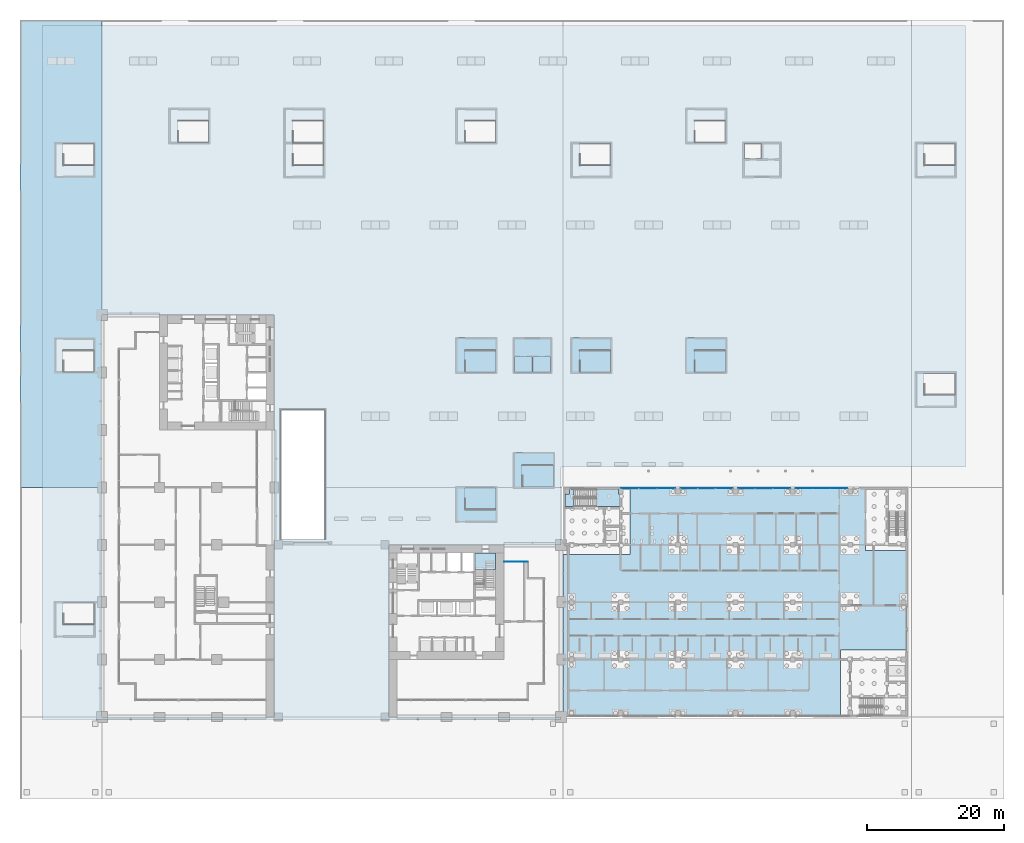
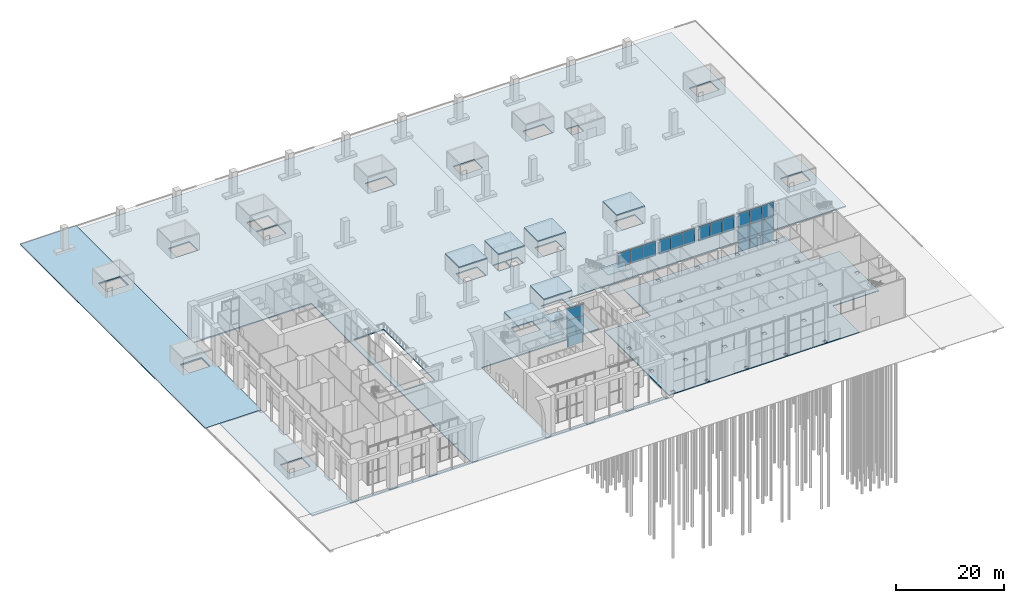
# One storey, part 16 of 46: 21 plates, 14 slabs, 8 elements without a shape of their own.
"""IFC4 building model written with IfcOpenShell, lengths in metres."""

import ifcopenshell
import ifcopenshell.guid

model = None  # the IFC model being written
_history = None  # IfcOwnerHistory: only IFC2X3 demands one
_inside = {}  # id of a spatial element -> (the spatial element, [elements in it])
_under = {}  # id of a project, library or spatial element -> (it, [spatial elements below it])
_declared = {}  # id of a project -> (the project, [libraries it declares])
_typed = {}  # id of a type object -> (the type object, [elements of that type])
_made_of = {}  # id of a material, layer set ... -> (it, [elements and type objects made of it])


def new_model(schema):
    """Start an empty IFC model of exactly this schema.

    Asked for "IFC4X3", IfcOpenShell would pick the latest addendum, in which some entities
    have other attributes; the version numbers below select the first issue.
    IFC2X3 requires an IfcOwnerHistory on every rooted entity: one is made here for all.
    """
    global model, _history
    if schema == "IFC4X3":
        model = ifcopenshell.file(schema_version=(4, 3, 0, 0))
    else:
        model = ifcopenshell.file(schema=schema)
    _inside.clear()
    _under.clear()
    _declared.clear()
    _typed.clear()
    _made_of.clear()
    _history = None
    if model.schema == "IFC2X3":
        org = make("IfcOrganization", Name="unknown")
        user = make(
            "IfcPersonAndOrganization",
            ThePerson=make("IfcPerson", FamilyName="unknown"),
            TheOrganization=org,
        )
        app = make(
            "IfcApplication",
            ApplicationDeveloper=org,
            Version="unknown",
            ApplicationFullName="unknown",
            ApplicationIdentifier="unknown",
        )
        _history = make(
            "IfcOwnerHistory",
            OwningUser=user,
            OwningApplication=app,
            ChangeAction="ADDED",
            CreationDate=0,
        )
    return model


def make(cls, **values):
    """One entity of the class cls with the attributes given. An attribute that is None is left unset."""
    return model.create_entity(
        cls, **{name: value for name, value in values.items() if value is not None}
    )


def rooted(cls, **values):
    """An entity with a GlobalId (a new one), such as an element, a storey or a relation."""
    return make(cls, GlobalId=ifcopenshell.guid.new(), OwnerHistory=_history, **values)


def si_unit(unit_type, name, prefix=None):
    """IfcSIUnit, for example si_unit("LENGTHUNIT", "METRE", prefix="MILLI")."""
    return make("IfcSIUnit", UnitType=unit_type, Prefix=prefix, Name=name)


def assignment(units):
    """IfcUnitAssignment: the units of a project."""
    return None if units is None else make("IfcUnitAssignment", Units=units)


def point(xyz):
    """IfcCartesianPoint."""
    return None if xyz is None else make("IfcCartesianPoint", Coordinates=xyz)


def direction(xyz):
    """IfcDirection."""
    return None if xyz is None else make("IfcDirection", DirectionRatios=xyz)


def frame(location, z_axis=None, x_axis=None):
    """IfcAxis2Placement3D, a coordinate frame: its origin and axes. An axis left out is left unset."""
    return make(
        "IfcAxis2Placement3D",
        Location=point(location),
        Axis=direction(z_axis),
        RefDirection=direction(x_axis),
    )


def frame_2d(location, x_axis=None):
    """IfcAxis2Placement2D, a coordinate frame in the plane: its origin and x axis."""
    return make(
        "IfcAxis2Placement2D", Location=point(location), RefDirection=direction(x_axis)
    )


def origin():
    """The frame at (0, 0, 0) with its axes left unset."""
    return frame((0.0, 0.0, 0.0))


def origin_2d():
    """The frame at (0, 0) in the plane with its x axis left unset."""
    return frame_2d((0.0, 0.0))


def place(relative_to, where):
    """IfcLocalPlacement: puts the frame where relative to a parent placement (None: the world)."""
    return make(
        "IfcLocalPlacement", PlacementRelTo=relative_to, RelativePlacement=where
    )


def context(
    kind, dimensions, precision=None, world=None, true_north=None, identifier=None
):
    """IfcGeometricRepresentationContext, for example the 3D "Model" context."""
    return make(
        "IfcGeometricRepresentationContext",
        ContextIdentifier=identifier,
        ContextType=kind,
        CoordinateSpaceDimension=dimensions,
        Precision=precision,
        WorldCoordinateSystem=world,
        TrueNorth=true_north,
    )


def subcontext(parent, identifier, kind, view, scale=None):
    """IfcGeometricRepresentationSubContext, for example "Body" below "Model"."""
    return make(
        "IfcGeometricRepresentationSubContext",
        ContextIdentifier=identifier,
        ContextType=kind,
        ParentContext=parent,
        TargetScale=scale,
        TargetView=view,
    )


def project(units=None, contexts=None):
    """IfcProject with its units and contexts."""
    return rooted(
        "IfcProject",
        Name="project",
        RepresentationContexts=contexts,
        UnitsInContext=assignment(units),
    )


def spatial(cls, under=None, at=None, **own):
    """A site, building, storey or space (cls), placed at a placement, below another one or the project."""
    s = rooted(cls, ObjectPlacement=at, **own)
    if under is not None:
        _under.setdefault(under.id(), (under, []))[1].append(s)
    return s


def polyline(points):
    """IfcPolyline through the points."""
    return make("IfcPolyline", Points=[point(p) for p in points])


def profile(cls, at=None, kind="AREA", **sizes):
    """A parametric profile (cls). Its sizes go by their IFC names, for example OverallWidth=200.0."""
    return make(cls, ProfileType=kind, Position=at, **sizes)


def rectangle(**sizes):
    """IfcRectangleProfileDef."""
    return profile("IfcRectangleProfileDef", **sizes)


def outline(outer, holes=None, kind="AREA"):
    """IfcArbitraryClosedProfileDef: a profile drawn as a closed curve; with holes, ...WithVoids."""
    if holes is None:
        return make("IfcArbitraryClosedProfileDef", ProfileType=kind, OuterCurve=outer)
    return make(
        "IfcArbitraryProfileDefWithVoids",
        ProfileType=kind,
        OuterCurve=outer,
        InnerCurves=holes,
    )


def extrude(swept, where, along, depth):
    """IfcExtrudedAreaSolid: the profile swept, set in the frame where, extruded along a direction by depth."""
    return make(
        "IfcExtrudedAreaSolid",
        SweptArea=swept,
        Position=where,
        ExtrudedDirection=direction(along),
        Depth=depth,
    )


def shape(context_of_items, identifier, shape_type, items):
    """IfcShapeRepresentation: the items that make up one representation, for example the "Body"."""
    return make(
        "IfcShapeRepresentation",
        ContextOfItems=context_of_items,
        RepresentationIdentifier=identifier,
        RepresentationType=shape_type,
        Items=items,
    )


def material(Name=None, Category=None):
    """IfcMaterial."""
    return make("IfcMaterial", Name=Name, Category=Category)


def layer(
    of_material, thickness, ventilated=None, Name=None, Category=None, Priority=None
):
    """IfcMaterialLayer: one layer of a wall or slab, of a material (None: an air gap)."""
    return make(
        "IfcMaterialLayer",
        Material=of_material,
        LayerThickness=thickness,
        IsVentilated=ventilated,
        Name=Name,
        Category=Category,
        Priority=Priority,
    )


def layer_set(layers, Name=None):
    """IfcMaterialLayerSet."""
    return make("IfcMaterialLayerSet", MaterialLayers=layers, LayerSetName=Name)


def made_of(thing, what):
    """Note that an element or type object is made of a material, layer set ...; save() writes the relation."""
    if what is not None:
        _made_of.setdefault(what.id(), (what, []))[1].append(thing)
    return thing


def type_object(cls, material=None, **own):
    """A type object (cls), such as IfcWallType, which elements share."""
    return made_of(rooted(cls, **own), material)


def element(
    cls,
    number,
    at=None,
    inside=None,
    cuts=None,
    type_object=None,
    material=None,
    context=None,
    identifier="Body",
    shape_type=None,
    held_by="IfcProductDefinitionShape",
    body=None,
    shapes=None,
    **own,
):
    """One element of the class cls, such as IfcWall. Its Tag is "e" and its number.

    at: its placement. inside: the storey or other place that contains it. cuts: it is an
    opening in that element (IfcRelVoidsElement). A single representation is given by context,
    identifier, shape_type and body (its items); several are given by shapes. held_by: the class
    of the entity that holds the representations. save() writes the other relations.
    """
    e = rooted(cls, Tag="e%d" % number, ObjectPlacement=at, **own)
    if body is not None:
        shapes = [shape(context, identifier, shape_type, body)]
    if shapes is not None:
        e.Representation = make(held_by, Representations=shapes)
    if inside is not None:
        _inside.setdefault(inside.id(), (inside, []))[1].append(e)
    if cuts is not None:
        rooted(
            "IfcRelVoidsElement", RelatingBuildingElement=cuts, RelatedOpeningElement=e
        )
    if type_object is not None:
        _typed.setdefault(type_object.id(), (type_object, []))[1].append(e)
    return made_of(e, material)


def aggregate(whole, parts):
    """IfcRelAggregates: a whole, such as a stair, and the parts it consists of."""
    return rooted("IfcRelAggregates", RelatingObject=whole, RelatedObjects=parts)


def save(model, path):
    """Write the relations noted so far, then the file.

    IfcRelAggregates (storeys below a building ...), IfcRelContainedInSpatialStructure (elements
    in a storey), IfcRelDefinesByType, IfcRelAssociatesMaterial and IfcRelDeclares: one each for
    every whole, place, type object, material and project.
    """
    for whole, parts in _under.values():
        aggregate(whole, parts)
    for where, things in _inside.values():
        rooted(
            "IfcRelContainedInSpatialStructure",
            RelatedElements=things,
            RelatingStructure=where,
        )
    for kind, things in _typed.values():
        rooted("IfcRelDefinesByType", RelatedObjects=things, RelatingType=kind)
    for what, things in _made_of.values():
        rooted("IfcRelAssociatesMaterial", RelatedObjects=things, RelatingMaterial=what)
    for by, libraries in _declared.values():
        rooted("IfcRelDeclares", RelatingContext=by, RelatedDefinitions=libraries)
    model.write(path)


model = new_model("IFC4")

# Units and contexts
model_context = context("Model", 3, precision=1e-05, world=origin(), true_north=direction((0.0, 1.0)))
body_context = subcontext(model_context, "Body", "Model", "MODEL_VIEW")
ifc_project = project(units=[si_unit("LENGTHUNIT", "METRE"), si_unit("AREAUNIT", "SQUARE_METRE"), si_unit("VOLUMEUNIT", "CUBIC_METRE"), si_unit("PLANEANGLEUNIT", "RADIAN"), si_unit("MASSUNIT", "GRAM", prefix="KILO")], contexts=[model_context])

# Site, building, storey
site_placement = place(None, origin())
site = spatial("IfcSite", under=ifc_project, at=site_placement, CompositionType="ELEMENT")
building_placement = place(site_placement, origin())
building = spatial("IfcBuilding", under=site, at=building_placement, Name="Vermilion Gate Residences", CompositionType="ELEMENT")
storey_placement = place(building_placement, origin())
storey = spatial("IfcBuildingStorey", under=building, at=storey_placement, Name="L00", CompositionType="ELEMENT", Elevation=0.0)

# Curtain wall, plates
ifc_material_1 = material(Name="Aluminium and glass", Category="aluminium")
ifc_layer_1 = layer(ifc_material_1, 0.159912109375)
ifc_layer_set_1 = layer_set([ifc_layer_1], Name="CLERESTORY CURTAIN WALL (MARKET HALL)")
curtain_wall_type_1 = type_object("IfcCurtainWallType", Name="CLERESTORY CURTAIN WALL (MARKET HALL)", PredefinedType="NOTDEFINED", material=ifc_layer_set_1)
curtain_wall_1_placement = place(storey_placement, origin())
curtain_wall_1 = element("IfcCurtainWall", 1, at=curtain_wall_1_placement, inside=storey, type_object=curtain_wall_type_1, Name="Clerestory glazing", PredefinedType="NOTDEFINED")
ifc_material_2 = material(Name="Glass", Category="glass")
ifc_layer_2 = layer(ifc_material_2, 0.028076171875)
ifc_layer_set_2 = layer_set([ifc_layer_2], Name="GLAZING PANEL 28 (MARKET HALL)")
plate_type_1 = type_object("IfcPlateType", Name="GLAZING PANEL 28 (MARKET HALL)", PredefinedType="CURTAIN_PANEL", material=ifc_layer_set_2)
plate_1_placement = place(storey_placement, frame((77.256591796875, 33.47509765625, 5.4599609375), z_axis=(0.0, 0.0, 1.0), x_axis=(1.0, 0.0, 0.0)))
plate_1 = element("IfcPlate", 2, at=plate_1_placement, type_object=plate_type_1, Name="HC4 panel 1.1", PredefinedType="CURTAIN_PANEL", context=body_context, shape_type="SweptSolid", body=[
    extrude(rectangle(XDim=2.59326171875, YDim=0.028076171875, at=origin_2d()), origin(), (0.0, 0.0, 1.0), 3.179931640625),
])
plate_2_placement = place(storey_placement, frame((79.925048828125, 33.47509765625, 5.4599609375), z_axis=(0.0, 0.0, 1.0), x_axis=(1.0, 0.0, 0.0)))
plate_2 = element("IfcPlate", 3, at=plate_2_placement, type_object=plate_type_1, Name="HC4 panel 2.1", PredefinedType="CURTAIN_PANEL", context=body_context, shape_type="SweptSolid", body=[
    extrude(rectangle(XDim=2.623291015625, YDim=0.028076171875, at=origin_2d()), origin(), (0.0, 0.0, 1.0), 3.179931640625),
])
plate_3_placement = place(storey_placement, frame((82.59326171875, 33.47509765625, 5.4599609375), z_axis=(0.0, 0.0, 1.0), x_axis=(1.0, 0.0, 0.0)))
plate_3 = element("IfcPlate", 4, at=plate_3_placement, type_object=plate_type_1, Name="HC4 panel 3.1", PredefinedType="CURTAIN_PANEL", context=body_context, shape_type="SweptSolid", body=[
    extrude(rectangle(XDim=2.59326171875, YDim=0.028076171875, at=origin_2d()), origin(), (0.0, 0.0, 1.0), 3.179931640625),
])
aggregate(curtain_wall_1, [plate_1, plate_2, plate_3])

curtain_wall_2_placement = place(storey_placement, origin())
curtain_wall_2 = element("IfcCurtainWall", 5, at=curtain_wall_2_placement, inside=storey, type_object=curtain_wall_type_1, Name="Clerestory glazing", PredefinedType="NOTDEFINED")
plate_4_placement = place(storey_placement, frame((85.9482421875, 33.47509765625, 5.4599609375), z_axis=(0.0, 0.0, 1.0), x_axis=(1.0, 0.0, 0.0)))
plate_4 = element("IfcPlate", 6, at=plate_4_placement, type_object=plate_type_1, Name="HC4 panel 1.1", PredefinedType="CURTAIN_PANEL", context=body_context, shape_type="SweptSolid", body=[
    extrude(rectangle(XDim=2.4765625, YDim=0.028076171875, at=origin_2d()), origin(), (0.0, 0.0, 1.0), 3.179931640625),
])
plate_5_placement = place(storey_placement, frame((88.5, 33.47509765625, 5.4599609375), z_axis=(0.0, 0.0, 1.0), x_axis=(1.0, 0.0, 0.0)))
plate_5 = element("IfcPlate", 7, at=plate_5_placement, type_object=plate_type_1, Name="HC4 panel 2.1", PredefinedType="CURTAIN_PANEL", context=body_context, shape_type="SweptSolid", body=[
    extrude(rectangle(XDim=2.506591796875, YDim=0.028076171875, at=origin_2d()), origin(), (0.0, 0.0, 1.0), 3.179931640625),
])
plate_6_placement = place(storey_placement, frame((91.0517578125, 33.47509765625, 5.4599609375), z_axis=(0.0, 0.0, 1.0), x_axis=(1.0, 0.0, 0.0)))
plate_6 = element("IfcPlate", 8, at=plate_6_placement, type_object=plate_type_1, Name="HC4 panel 3.1", PredefinedType="CURTAIN_PANEL", context=body_context, shape_type="SweptSolid", body=[
    extrude(rectangle(XDim=2.4765625, YDim=0.028076171875, at=origin_2d()), origin(), (0.0, 0.0, 1.0), 3.179931640625),
])
aggregate(curtain_wall_2, [plate_4, plate_5, plate_6])

curtain_wall_3_placement = place(storey_placement, origin())
curtain_wall_3 = element("IfcCurtainWall", 9, at=curtain_wall_3_placement, inside=storey, type_object=curtain_wall_type_1, Name="Clerestory glazing", PredefinedType="NOTDEFINED")
plate_7_placement = place(storey_placement, frame((94.348388671875, 33.47509765625, 5.4599609375), z_axis=(0.0, 0.0, 1.0), x_axis=(1.0, 0.0, 0.0)))
plate_7 = element("IfcPlate", 10, at=plate_7_placement, type_object=plate_type_1, Name="HC4 panel 1.1", PredefinedType="CURTAIN_PANEL", context=body_context, shape_type="SweptSolid", body=[
    extrude(rectangle(XDim=2.4765625, YDim=0.028076171875, at=origin_2d()), origin(), (0.0, 0.0, 1.0), 3.179931640625),
])
plate_8_placement = place(storey_placement, frame((96.89990234375, 33.47509765625, 5.4599609375), z_axis=(0.0, 0.0, 1.0), x_axis=(1.0, 0.0, 0.0)))
plate_8 = element("IfcPlate", 11, at=plate_8_placement, type_object=plate_type_1, Name="HC4 panel 2.1", PredefinedType="CURTAIN_PANEL", context=body_context, shape_type="SweptSolid", body=[
    extrude(rectangle(XDim=2.506591796875, YDim=0.028076171875, at=origin_2d()), origin(), (0.0, 0.0, 1.0), 3.179931640625),
])
plate_9_placement = place(storey_placement, frame((99.45166015625, 33.47509765625, 5.4599609375), z_axis=(0.0, 0.0, 1.0), x_axis=(1.0, 0.0, 0.0)))
plate_9 = element("IfcPlate", 12, at=plate_9_placement, type_object=plate_type_1, Name="HC4 panel 3.1", PredefinedType="CURTAIN_PANEL", context=body_context, shape_type="SweptSolid", body=[
    extrude(rectangle(XDim=2.4765625, YDim=0.028076171875, at=origin_2d()), origin(), (0.0, 0.0, 1.0), 3.179931640625),
])
aggregate(curtain_wall_3, [plate_7, plate_8, plate_9])

ifc_material_3 = material(Name="Aluminium and glass", Category="aluminium")
ifc_layer_3 = layer(ifc_material_3, 0.159912109375)
ifc_layer_set_3 = layer_set([ifc_layer_3], Name="SHOPFRONT CURTAIN WALL (MARKET HALL)")
curtain_wall_type_2 = type_object("IfcCurtainWallType", Name="SHOPFRONT CURTAIN WALL (MARKET HALL)", PredefinedType="NOTDEFINED", material=ifc_layer_set_3)
curtain_wall_4_placement = place(storey_placement, origin())
curtain_wall_4 = element("IfcCurtainWall", 13, at=curtain_wall_4_placement, inside=storey, type_object=curtain_wall_type_2, Name="Shopfront glazing", PredefinedType="NOTDEFINED")
plate_10_placement = place(storey_placement, frame((102.748291015625, 33.47509765625, 0.06005859375), z_axis=(0.0, 0.0, 1.0), x_axis=(1.0, 0.0, 0.0)))
plate_10 = element("IfcPlate", 14, at=plate_10_placement, type_object=plate_type_1, Name="HC3 panel 1.1", PredefinedType="CURTAIN_PANEL", context=body_context, shape_type="SweptSolid", body=[
    extrude(rectangle(XDim=2.4765625, YDim=0.028076171875, at=origin_2d()), origin(), (0.0, 0.0, 1.0), 2.610107421875),
])
plate_11_placement = place(storey_placement, frame((102.748291015625, 33.47509765625, 2.72998046875), z_axis=(0.0, 0.0, 1.0), x_axis=(1.0, 0.0, 0.0)))
plate_11 = element("IfcPlate", 15, at=plate_11_placement, type_object=plate_type_1, Name="HC3 panel 1.2", PredefinedType="CURTAIN_PANEL", context=body_context, shape_type="SweptSolid", body=[
    extrude(rectangle(XDim=2.4765625, YDim=0.028076171875, at=origin_2d()), origin(), (0.0, 0.0, 1.0), 2.610107421875),
])
plate_12_placement = place(storey_placement, frame((105.300048828125, 33.47509765625, 0.06005859375), z_axis=(0.0, 0.0, 1.0), x_axis=(1.0, 0.0, 0.0)))
plate_12 = element("IfcPlate", 16, at=plate_12_placement, type_object=plate_type_1, Name="HC3 panel 2.1", PredefinedType="CURTAIN_PANEL", context=body_context, shape_type="SweptSolid", body=[
    extrude(rectangle(XDim=2.506591796875, YDim=0.028076171875, at=origin_2d()), origin(), (0.0, 0.0, 1.0), 2.610107421875),
])
plate_13_placement = place(storey_placement, frame((105.300048828125, 33.47509765625, 2.72998046875), z_axis=(0.0, 0.0, 1.0), x_axis=(1.0, 0.0, 0.0)))
plate_13 = element("IfcPlate", 17, at=plate_13_placement, type_object=plate_type_1, Name="HC3 panel 2.2", PredefinedType="CURTAIN_PANEL", context=body_context, shape_type="SweptSolid", body=[
    extrude(rectangle(XDim=2.506591796875, YDim=0.028076171875, at=origin_2d()), origin(), (0.0, 0.0, 1.0), 2.610107421875),
])
plate_14_placement = place(storey_placement, frame((107.8515625, 33.47509765625, 0.06005859375), z_axis=(0.0, 0.0, 1.0), x_axis=(1.0, 0.0, 0.0)))
plate_14 = element("IfcPlate", 18, at=plate_14_placement, type_object=plate_type_1, Name="HC3 panel 3.1", PredefinedType="CURTAIN_PANEL", context=body_context, shape_type="SweptSolid", body=[
    extrude(rectangle(XDim=2.4765625, YDim=0.028076171875, at=origin_2d()), origin(), (0.0, 0.0, 1.0), 2.610107421875),
])
plate_15_placement = place(storey_placement, frame((107.8515625, 33.47509765625, 2.72998046875), z_axis=(0.0, 0.0, 1.0), x_axis=(1.0, 0.0, 0.0)))
plate_15 = element("IfcPlate", 19, at=plate_15_placement, type_object=plate_type_1, Name="HC3 panel 3.2", PredefinedType="CURTAIN_PANEL", context=body_context, shape_type="SweptSolid", body=[
    extrude(rectangle(XDim=2.4765625, YDim=0.028076171875, at=origin_2d()), origin(), (0.0, 0.0, 1.0), 2.610107421875),
])
aggregate(curtain_wall_4, [plate_10, plate_11, plate_12, plate_13, plate_14, plate_15])

curtain_wall_5_placement = place(storey_placement, origin())
curtain_wall_5 = element("IfcCurtainWall", 20, at=curtain_wall_5_placement, inside=storey, type_object=curtain_wall_type_1, Name="Clerestory glazing", PredefinedType="NOTDEFINED")
plate_16_placement = place(storey_placement, frame((102.748291015625, 33.47509765625, 5.4599609375), z_axis=(0.0, 0.0, 1.0), x_axis=(1.0, 0.0, 0.0)))
plate_16 = element("IfcPlate", 21, at=plate_16_placement, type_object=plate_type_1, Name="HC4 panel 1.1", PredefinedType="CURTAIN_PANEL", context=body_context, shape_type="SweptSolid", body=[
    extrude(rectangle(XDim=2.4765625, YDim=0.028076171875, at=origin_2d()), origin(), (0.0, 0.0, 1.0), 3.179931640625),
])
plate_17_placement = place(storey_placement, frame((105.300048828125, 33.47509765625, 5.4599609375), z_axis=(0.0, 0.0, 1.0), x_axis=(1.0, 0.0, 0.0)))
plate_17 = element("IfcPlate", 22, at=plate_17_placement, type_object=plate_type_1, Name="HC4 panel 2.1", PredefinedType="CURTAIN_PANEL", context=body_context, shape_type="SweptSolid", body=[
    extrude(rectangle(XDim=2.506591796875, YDim=0.028076171875, at=origin_2d()), origin(), (0.0, 0.0, 1.0), 3.179931640625),
])
plate_18_placement = place(storey_placement, frame((107.8515625, 33.47509765625, 5.4599609375), z_axis=(0.0, 0.0, 1.0), x_axis=(1.0, 0.0, 0.0)))
plate_18 = element("IfcPlate", 23, at=plate_18_placement, type_object=plate_type_1, Name="HC4 panel 3.1", PredefinedType="CURTAIN_PANEL", context=body_context, shape_type="SweptSolid", body=[
    extrude(rectangle(XDim=2.4765625, YDim=0.028076171875, at=origin_2d()), origin(), (0.0, 0.0, 1.0), 3.179931640625),
])
aggregate(curtain_wall_5, [plate_16, plate_17, plate_18])

# Slabs
ifc_material_4 = material(Name="Concrete C30", Category="concrete")
ifc_layer_4 = layer(ifc_material_4, 0.199951171875)
ifc_layer_set_4 = layer_set([ifc_layer_4], Name="GROUND SLAB 200 C30 (MARKET HALL)")
slab_type_1 = type_object("IfcSlabType", Name="GROUND SLAB 200 C30 (MARKET HALL)", PredefinedType="BASESLAB", material=ifc_layer_set_4)
slab_1_placement = place(storey_placement, frame((0.0, 0.0, -0.199951171875)))
element("IfcSlab", 24, at=slab_1_placement, inside=storey, type_object=slab_type_1, Name="Ground slab 1", PredefinedType="BASESLAB", context=body_context, shape_type="SweptSolid", body=[
    extrude(outline(polyline([(117.89990234375, 9.800048828125), (117.89990234375, 24.39990234375), (111.699951171875, 24.39990234375), (111.699951171875, 33.60009765625), (77.300048828125, 33.60009765625), (77.300048828125, 23.800048828125), (67.5, 23.800048828125), (67.5, 0.0), (108.10009765625, 0.0), (108.10009765625, 9.800048828125), (117.89990234375, 9.800048828125)]), holes=[polyline([(69.050048828125, 0.949951171875), (69.050048828125, 0.25), (68.35009765625, 0.25), (68.35009765625, 0.949951171875), (69.050048828125, 0.949951171875)]), polyline([(76.25, 0.25), (75.550048828125, 0.25), (75.550048828125, 0.949951171875), (76.25, 0.949951171875), (76.25, 0.25)]), polyline([(84.64990234375, 0.25), (83.949951171875, 0.25), (83.949951171875, 0.949951171875), (84.64990234375, 0.949951171875), (84.64990234375, 0.25)]), polyline([(93.050048828125, 0.25), (92.35009765625, 0.25), (92.35009765625, 0.949951171875), (93.050048828125, 0.949951171875), (93.050048828125, 0.25)]), polyline([(69.050048828125, 8.050048828125), (68.35009765625, 8.050048828125), (68.35009765625, 8.75), (69.050048828125, 8.75), (69.050048828125, 8.050048828125)]), polyline([(76.25, 8.050048828125), (75.550048828125, 8.050048828125), (75.550048828125, 8.75), (76.25, 8.75), (76.25, 8.050048828125)]), polyline([(84.64990234375, 8.050048828125), (83.949951171875, 8.050048828125), (83.949951171875, 8.75), (84.64990234375, 8.75), (84.64990234375, 8.050048828125)]), polyline([(93.050048828125, 8.75), (93.050048828125, 8.050048828125), (92.35009765625, 8.050048828125), (92.35009765625, 8.75), (93.050048828125, 8.75)]), polyline([(69.050048828125, 16.449951171875), (68.35009765625, 16.449951171875), (68.35009765625, 17.14990234375), (69.050048828125, 17.14990234375), (69.050048828125, 16.449951171875)]), polyline([(76.25, 16.449951171875), (75.550048828125, 16.449951171875), (75.550048828125, 17.14990234375), (76.25, 17.14990234375), (76.25, 16.449951171875)]), polyline([(84.64990234375, 16.449951171875), (83.949951171875, 16.449951171875), (83.949951171875, 17.14990234375), (84.64990234375, 17.14990234375), (84.64990234375, 16.449951171875)]), polyline([(84.64990234375, 24.85009765625), (83.949951171875, 24.85009765625), (83.949951171875, 25.550048828125), (84.64990234375, 25.550048828125), (84.64990234375, 24.85009765625)]), polyline([(84.64990234375, 32.64990234375), (83.949951171875, 32.64990234375), (83.949951171875, 33.35009765625), (84.64990234375, 33.35009765625), (84.64990234375, 32.64990234375)]), polyline([(101.449951171875, 0.949951171875), (101.449951171875, 0.25), (100.75, 0.25), (100.75, 0.949951171875), (101.449951171875, 0.949951171875)]), polyline([(101.449951171875, 8.050048828125), (100.75, 8.050048828125), (100.75, 8.75), (101.449951171875, 8.75), (101.449951171875, 8.050048828125)]), polyline([(93.050048828125, 16.449951171875), (92.35009765625, 16.449951171875), (92.35009765625, 17.14990234375), (93.050048828125, 17.14990234375), (93.050048828125, 16.449951171875)]), polyline([(101.449951171875, 16.449951171875), (100.75, 16.449951171875), (100.75, 17.14990234375), (101.449951171875, 17.14990234375), (101.449951171875, 16.449951171875)]), polyline([(109.85009765625, 16.449951171875), (109.14990234375, 16.449951171875), (109.14990234375, 17.14990234375), (109.85009765625, 17.14990234375), (109.85009765625, 16.449951171875)]), polyline([(117.64990234375, 16.449951171875), (116.949951171875, 16.449951171875), (116.949951171875, 17.14990234375), (117.64990234375, 17.14990234375), (117.64990234375, 16.449951171875)]), polyline([(93.050048828125, 25.550048828125), (93.050048828125, 24.85009765625), (92.35009765625, 24.85009765625), (92.35009765625, 25.550048828125), (93.050048828125, 25.550048828125)]), polyline([(101.449951171875, 24.85009765625), (100.75, 24.85009765625), (100.75, 25.550048828125), (101.449951171875, 25.550048828125), (101.449951171875, 24.85009765625)]), polyline([(109.85009765625, 24.85009765625), (109.14990234375, 24.85009765625), (109.14990234375, 25.550048828125), (109.85009765625, 25.550048828125), (109.85009765625, 24.85009765625)]), polyline([(93.050048828125, 32.64990234375), (92.35009765625, 32.64990234375), (92.35009765625, 33.35009765625), (93.050048828125, 33.35009765625), (93.050048828125, 32.64990234375)]), polyline([(101.449951171875, 32.64990234375), (100.75, 32.64990234375), (100.75, 33.35009765625), (101.449951171875, 33.35009765625), (101.449951171875, 32.64990234375)]), polyline([(109.85009765625, 32.64990234375), (109.14990234375, 32.64990234375), (109.14990234375, 33.35009765625), (109.85009765625, 33.35009765625), (109.85009765625, 32.64990234375)])]), origin(), (0.0, 0.0, 1.0), 0.199951171875),
])
ifc_material_5 = material(Name="Concrete C30", Category="concrete")
ifc_layer_5 = layer(ifc_material_5, 0.25)
ifc_layer_set_5 = layer_set([ifc_layer_5], Name="HOUSE ROOF 250 (AMENITY)")
slab_type_2 = type_object("IfcSlabType", Name="HOUSE ROOF 250 (AMENITY)", PredefinedType="ROOF", material=ifc_layer_set_5)
slab_2_placement = place(storey_placement, frame((0.0, 0.0, 3.60009765625)))
element("IfcSlab", 25, at=slab_2_placement, inside=storey, type_object=slab_type_2, Name="House roof 3", PredefinedType="ROOF", context=body_context, shape_type="SweptSolid", body=[
    extrude(outline(polyline([(68.60009765625, 50.300048828125), (68.60009765625, 55.5), (74.60009765625, 55.5), (74.60009765625, 50.300048828125), (68.60009765625, 50.300048828125)])), origin(), (0.0, 0.0, 1.0), 0.25),
])
slab_3_placement = place(storey_placement, frame((0.0, 0.0, 3.60009765625)))
element("IfcSlab", 26, at=slab_3_placement, inside=storey, type_object=slab_type_2, Name="House roof 4", PredefinedType="ROOF", context=body_context, shape_type="SweptSolid", body=[
    extrude(outline(polyline([(51.800048828125, 28.5), (51.800048828125, 33.699951171875), (57.800048828125, 33.699951171875), (57.800048828125, 28.5), (51.800048828125, 28.5)])), origin(), (0.0, 0.0, 1.0), 0.25),
])
slab_4_placement = place(storey_placement, frame((0.0, 0.0, 3.60009765625)))
element("IfcSlab", 27, at=slab_4_placement, inside=storey, type_object=slab_type_2, Name="House roof 6", PredefinedType="ROOF", context=body_context, shape_type="SweptSolid", body=[
    extrude(outline(polyline([(85.39990234375, 50.300048828125), (85.39990234375, 55.5), (91.39990234375, 55.5), (91.39990234375, 50.300048828125), (85.39990234375, 50.300048828125)])), origin(), (0.0, 0.0, 1.0), 0.25),
])
slab_5_placement = place(storey_placement, frame((0.0, 0.0, 3.60009765625)))
element("IfcSlab", 28, at=slab_5_placement, inside=storey, type_object=slab_type_2, Name="House roof 15", PredefinedType="ROOF", context=body_context, shape_type="SweptSolid", body=[
    extrude(outline(polyline([(51.800048828125, 50.300048828125), (51.800048828125, 55.5), (57.800048828125, 55.5), (57.800048828125, 50.300048828125), (51.800048828125, 50.300048828125)])), origin(), (0.0, 0.0, 1.0), 0.25),
])
slab_6_placement = place(storey_placement, frame((0.0, 0.0, 3.60009765625)))
element("IfcSlab", 29, at=slab_6_placement, inside=storey, type_object=slab_type_2, Name="House roof 16", PredefinedType="ROOF", context=body_context, shape_type="SweptSolid", body=[
    extrude(outline(polyline([(60.199951171875, 33.5), (60.199951171875, 38.699951171875), (66.199951171875, 38.699951171875), (66.199951171875, 33.5), (60.199951171875, 33.5)])), origin(), (0.0, 0.0, 1.0), 0.25),
])
slab_7_placement = place(storey_placement, frame((0.0, 0.0, 3.60009765625)))
element("IfcSlab", 30, at=slab_7_placement, inside=storey, type_object=slab_type_2, Name="House roof 17", PredefinedType="ROOF", context=body_context, shape_type="SweptSolid", body=[
    extrude(outline(polyline([(60.199951171875, 50.300048828125), (60.199951171875, 55.5), (65.800048828125, 55.5), (65.800048828125, 50.300048828125), (60.199951171875, 50.300048828125)])), origin(), (0.0, 0.0, 1.0), 0.25),
])
ifc_material_6 = material(Name="Concrete C35", Category="concrete")
ifc_layer_6 = layer(ifc_material_6, 0.14990234375)
ifc_layer_set_6 = layer_set([ifc_layer_6], Name="PLAZA PAVING 150 C35 (MARKET HALL)")
slab_type_3 = type_object("IfcSlabType", Name="PLAZA PAVING 150 C35 (MARKET HALL)", PredefinedType="USERDEFINED", material=ifc_layer_set_6)
slab_8_placement = place(storey_placement, frame((0.0, 0.0, -0.14990234375)))
element("IfcSlab", 31, at=slab_8_placement, inside=storey, type_object=slab_type_3, Name="Plaza paving 10 (north-west plaza)", ObjectType="PAVING", PredefinedType="USERDEFINED", context=body_context, shape_type="SweptSolid", body=[
    extrude(outline(polyline([(0.0, 102.0), (-12.0, 102.0), (-12.0, 33.60009765625), (0.0, 33.60009765625), (0.0, 42.0), (0.0, 50.39990234375), (0.0, 58.800048828125), (0.0, 102.0)]), holes=[polyline([(-1.199951171875, 53.699951171875), (-1.199951171875, 50.5), (-5.699951171875, 50.5), (-5.699951171875, 53.699951171875), (-1.199951171875, 53.699951171875)]), polyline([(-5.699951171875, 83.89990234375), (-1.199951171875, 83.89990234375), (-1.199951171875, 80.699951171875), (-5.699951171875, 80.699951171875), (-5.699951171875, 83.89990234375)])]), origin(), (0.0, 0.0, 1.0), 0.14990234375),
])

# Curtain wall, plates
ifc_material_7 = material(Name="Aluminium and glass", Category="aluminium")
curtain_wall_type_3 = type_object("IfcCurtainWallType", Name="PODIUM SHOPFRONT CURTAIN WALL", PredefinedType="NOTDEFINED", material=ifc_material_7)
curtain_wall_6_placement = place(storey_placement, origin())
curtain_wall_6 = element("IfcCurtainWall", 32, at=curtain_wall_6_placement, inside=storey, type_object=curtain_wall_type_3, Name="Podium Shopfront 150", PredefinedType="NOTDEFINED")
ifc_material_8 = material(Name="Clear laminated glass", Category="glass")
ifc_layer_7 = layer(ifc_material_8, 0.031982421875)
ifc_layer_set_7 = layer_set([ifc_layer_7], Name="PODIUM SHOPFRONT GLASS PANEL 32")
plate_type_2 = type_object("IfcPlateType", Name="PODIUM SHOPFRONT GLASS PANEL 32", PredefinedType="CURTAIN_PANEL", material=ifc_layer_set_7)
plate_19_placement = place(storey_placement, frame((60.60009765625, 22.699951171875, 0.06005859375), z_axis=(0.0, 0.0, 1.0), x_axis=(-1.0, 0.0, 0.0)))
plate_19 = element("IfcPlate", 33, at=plate_19_placement, type_object=plate_type_2, Name="ECW1 panel 1.1", PredefinedType="CURTAIN_PANEL", context=body_context, shape_type="SweptSolid", body=[
    extrude(rectangle(XDim=3.47998046875, YDim=0.031982421875, at=origin_2d()), origin(), (0.0, 0.0, 1.0), 2.909912109375),
])
plate_20_placement = place(storey_placement, frame((60.60009765625, 22.699951171875, 3.030029296875), z_axis=(0.0, 0.0, 1.0), x_axis=(-1.0, 0.0, 0.0)))
plate_20 = element("IfcPlate", 34, at=plate_20_placement, type_object=plate_type_2, Name="ECW1 panel 1.2", PredefinedType="CURTAIN_PANEL", context=body_context, shape_type="SweptSolid", body=[
    extrude(rectangle(XDim=3.47998046875, YDim=0.031982421875, at=origin_2d()), origin(), (0.0, 0.0, 1.0), 2.93994140625),
])
plate_21_placement = place(storey_placement, frame((60.60009765625, 22.699951171875, 6.02978515625), z_axis=(0.0, 0.0, 1.0), x_axis=(-1.0, 0.0, 0.0)))
plate_21 = element("IfcPlate", 35, at=plate_21_placement, type_object=plate_type_2, Name="ECW1 panel 1.3", PredefinedType="CURTAIN_PANEL", context=body_context, shape_type="SweptSolid", body=[
    extrude(rectangle(XDim=3.47998046875, YDim=0.031982421875, at=origin_2d()), origin(), (0.0, 0.0, 1.0), 2.610107421875),
])
aggregate(curtain_wall_6, [plate_19, plate_20, plate_21])

# Slab
ifc_material_9 = material(Name="Concrete C50", Category="concrete")
ifc_layer_8 = layer(ifc_material_9, 0.25)
ifc_layer_set_8 = layer_set([ifc_layer_8], Name="RC PLAZA DECK 250 C50")
slab_type_4 = type_object("IfcSlabType", Name="RC PLAZA DECK 250 C50", PredefinedType="FLOOR", material=ifc_layer_set_8)
slab_9_placement = place(storey_placement, frame((0.0, 0.0, -0.39990234375)))
element("IfcSlab", 36, at=slab_9_placement, inside=storey, type_object=slab_type_4, Name="Plaza deck", PredefinedType="FLOOR", context=body_context, shape_type="SweptSolid", body=[
    extrude(outline(polyline([(67.199951171875, 25.199951171875), (67.199951171875, 36.60009765625), (126.39990234375, 36.60009765625), (126.39990234375, 101.199951171875), (-8.800048828125, 101.199951171875), (-8.800048828125, -0.39990234375), (67.199951171875, -0.39990234375), (67.199951171875, 0.0), (42.0, 0.0), (42.0, 25.199951171875), (67.199951171875, 25.199951171875)]), holes=[polyline([(120.300048828125, 80.699951171875), (120.300048828125, 83.89990234375), (124.800048828125, 83.89990234375), (124.800048828125, 80.699951171875), (120.300048828125, 80.699951171875)]), polyline([(120.300048828125, 47.10009765625), (120.300048828125, 50.300048828125), (124.800048828125, 50.300048828125), (124.800048828125, 47.10009765625), (120.300048828125, 47.10009765625)]), polyline([(96.5, 83.89990234375), (96.5, 81.699951171875), (94.0, 81.699951171875), (94.0, 83.89990234375), (96.5, 83.89990234375)]), polyline([(86.699951171875, 87.300048828125), (91.199951171875, 87.300048828125), (91.199951171875, 84.10009765625), (86.699951171875, 84.10009765625), (86.699951171875, 87.300048828125)]), polyline([(86.699951171875, 53.699951171875), (91.199951171875, 53.699951171875), (91.199951171875, 50.5), (86.699951171875, 50.5), (86.699951171875, 53.699951171875)]), polyline([(74.39990234375, 83.89990234375), (74.39990234375, 80.699951171875), (69.89990234375, 80.699951171875), (69.89990234375, 83.89990234375), (74.39990234375, 83.89990234375)]), polyline([(74.39990234375, 53.699951171875), (74.39990234375, 50.5), (69.89990234375, 50.5), (69.89990234375, 53.699951171875), (74.39990234375, 53.699951171875)]), polyline([(66.0, 33.699951171875), (61.5, 33.699951171875), (61.5, 36.89990234375), (66.0, 36.89990234375), (66.0, 33.699951171875)]), polyline([(63.10009765625, 52.699951171875), (65.60009765625, 52.699951171875), (65.60009765625, 50.5), (63.10009765625, 50.5), (63.10009765625, 52.699951171875)]), polyline([(60.39990234375, 50.5), (60.39990234375, 52.699951171875), (62.89990234375, 52.699951171875), (62.89990234375, 50.5), (60.39990234375, 50.5)]), polyline([(57.60009765625, 84.10009765625), (53.10009765625, 84.10009765625), (53.10009765625, 87.300048828125), (57.60009765625, 87.300048828125), (57.60009765625, 84.10009765625)]), polyline([(57.60009765625, 53.699951171875), (57.60009765625, 50.5), (53.10009765625, 50.5), (53.10009765625, 53.699951171875), (57.60009765625, 53.699951171875)]), polyline([(57.60009765625, 30.300048828125), (53.10009765625, 30.300048828125), (53.10009765625, 33.5), (57.60009765625, 33.5), (57.60009765625, 30.300048828125)]), polyline([(32.60009765625, 26.0), (26.199951171875, 26.0), (26.199951171875, 44.89990234375), (32.60009765625, 44.89990234375), (32.60009765625, 26.0)]), polyline([(27.89990234375, 84.10009765625), (27.89990234375, 87.300048828125), (32.39990234375, 87.300048828125), (32.39990234375, 84.10009765625), (27.89990234375, 84.10009765625)]), polyline([(27.89990234375, 83.89990234375), (32.39990234375, 83.89990234375), (32.39990234375, 80.699951171875), (27.89990234375, 80.699951171875), (27.89990234375, 83.89990234375)]), polyline([(0.0, 0.0), (0.0, 58.800048828125), (25.199951171875, 58.800048828125), (25.199951171875, 0.0), (0.0, 0.0)]), polyline([(15.60009765625, 84.10009765625), (11.10009765625, 84.10009765625), (11.10009765625, 87.300048828125), (15.60009765625, 87.300048828125), (15.60009765625, 84.10009765625)]), polyline([(-5.699951171875, 13.5), (-5.699951171875, 16.699951171875), (-1.199951171875, 16.699951171875), (-1.199951171875, 13.5), (-5.699951171875, 13.5)]), polyline([(-1.199951171875, 83.89990234375), (-1.199951171875, 80.699951171875), (-5.699951171875, 80.699951171875), (-5.699951171875, 83.89990234375), (-1.199951171875, 83.89990234375)]), polyline([(-5.699951171875, 53.699951171875), (-1.199951171875, 53.699951171875), (-1.199951171875, 50.5), (-5.699951171875, 50.5), (-5.699951171875, 53.699951171875)])]), origin(), (0.0, 0.0, 1.0), 0.25),
])

# Stair, slabs
ifc_material_10 = material(Name="Concrete C35", Category="concrete")
stair_type_1 = type_object("IfcStairType", Name="RC STAIR 1200 (MARKET HALL)", PredefinedType="HALF_TURN_STAIR", material=ifc_material_10)
stair_1_placement = place(storey_placement, origin())
stair_1 = element("IfcStair", 37, at=stair_1_placement, inside=storey, type_object=stair_type_1, Name="Stair STH1-00", PredefinedType="HALF_TURN_STAIR")
ifc_material_11 = material(Name="Concrete C35", Category="concrete")
ifc_layer_9 = layer(ifc_material_11, 0.199951171875)
ifc_layer_set_9 = layer_set([ifc_layer_9], Name="STAIR LANDING 200 C35 (MARKET HALL)")
slab_type_5 = type_object("IfcSlabType", Name="STAIR LANDING 200 C35 (MARKET HALL)", PredefinedType="LANDING", material=ifc_layer_set_9)
slab_10_placement = place(storey_placement, frame((0.0, 0.0, 2.050048828125)))
slab_10 = element("IfcSlab", 38, at=slab_10_placement, type_object=slab_type_5, Name="STH1-00 landing 1", PredefinedType="LANDING", context=body_context, shape_type="SweptSolid", body=[
    extrude(outline(polyline([(75.550048828125, 33.35009765625), (72.2900390625, 33.35009765625), (72.2900390625, 30.800048828125), (75.784912109375, 30.800048828125), (75.784912109375, 32.64990234375), (75.550048828125, 32.64990234375), (75.550048828125, 33.35009765625)])), origin(), (0.0, 0.0, 1.0), 0.199951171875),
])
slab_11_placement = place(storey_placement, frame((0.0, 0.0, 4.300048828125)))
slab_11 = element("IfcSlab", 39, at=slab_11_placement, type_object=slab_type_5, Name="STH1-00 landing 2", PredefinedType="LANDING", context=body_context, shape_type="SweptSolid", body=[
    extrude(outline(polyline([(69.050048828125, 33.35009765625), (68.449951171875, 33.35009765625), (68.449951171875, 32.64990234375), (67.75, 32.64990234375), (67.75, 33.35009765625), (67.739990234375, 33.35009765625), (67.739990234375, 30.800048828125), (69.050048828125, 30.800048828125), (69.050048828125, 33.35009765625)])), origin(), (0.0, 0.0, 1.0), 0.199951171875),
])
slab_12_placement = place(storey_placement, frame((0.0, 0.0, 6.550048828125)))
slab_12 = element("IfcSlab", 40, at=slab_12_placement, type_object=slab_type_5, Name="STH1-00 landing 3", PredefinedType="LANDING", context=body_context, shape_type="SweptSolid", body=[
    extrude(outline(polyline([(75.550048828125, 33.35009765625), (72.2900390625, 33.35009765625), (72.2900390625, 30.800048828125), (75.784912109375, 30.800048828125), (75.784912109375, 32.64990234375), (75.550048828125, 32.64990234375), (75.550048828125, 33.35009765625)])), origin(), (0.0, 0.0, 1.0), 0.199951171875),
])
aggregate(stair_1, [slab_10, slab_11, slab_12])

ifc_material_12 = material(Name="Concrete C50", Category="concrete")
stair_type_2 = type_object("IfcStairType", Name="SPECIAL ESCAPE STAIR 1300", PredefinedType="HALF_TURN_STAIR", material=ifc_material_12)
stair_2_placement = place(storey_placement, origin())
stair_2 = element("IfcStair", 41, at=stair_2_placement, inside=storey, type_object=stair_type_2, Name="Special escape stair STA2-00", PredefinedType="HALF_TURN_STAIR")
ifc_material_13 = material(Name="Concrete C50", Category="concrete")
ifc_layer_10 = layer(ifc_material_13, 0.199951171875)
ifc_layer_set_10 = layer_set([ifc_layer_10], Name="STAIR LANDING 200 C50")
slab_type_6 = type_object("IfcSlabType", Name="STAIR LANDING 200 C50", PredefinedType="LANDING", material=ifc_layer_set_10)
slab_13_placement = place(storey_placement, frame((0.0, 0.0, 4.054443359375)))
slab_13 = element("IfcSlab", 42, at=slab_13_placement, type_object=slab_type_6, Name="STA2-00 landing 2", PredefinedType="LANDING", context=body_context, shape_type="SweptSolid", body=[
    extrude(outline(polyline([(57.6201171875, 21.6201171875), (57.6201171875, 24.02001953125), (54.580078125, 24.02001953125), (54.580078125, 21.6201171875), (57.6201171875, 21.6201171875)])), origin(), (0.0, 0.0, 1.0), 0.2001953125),
])
slab_14_placement = place(storey_placement, frame((0.0, 0.0, 7.654541015625)))
slab_14 = element("IfcSlab", 43, at=slab_14_placement, type_object=slab_type_6, Name="STA2-00 landing 4", PredefinedType="LANDING", context=body_context, shape_type="SweptSolid", body=[
    extrude(outline(polyline([(57.6201171875, 21.6201171875), (57.6201171875, 24.02001953125), (54.580078125, 24.02001953125), (54.580078125, 21.6201171875), (57.6201171875, 21.6201171875)])), origin(), (0.0, 0.0, 1.0), 0.199951171875),
])
aggregate(stair_2, [slab_13, slab_14])

save(model, "model.ifc")
